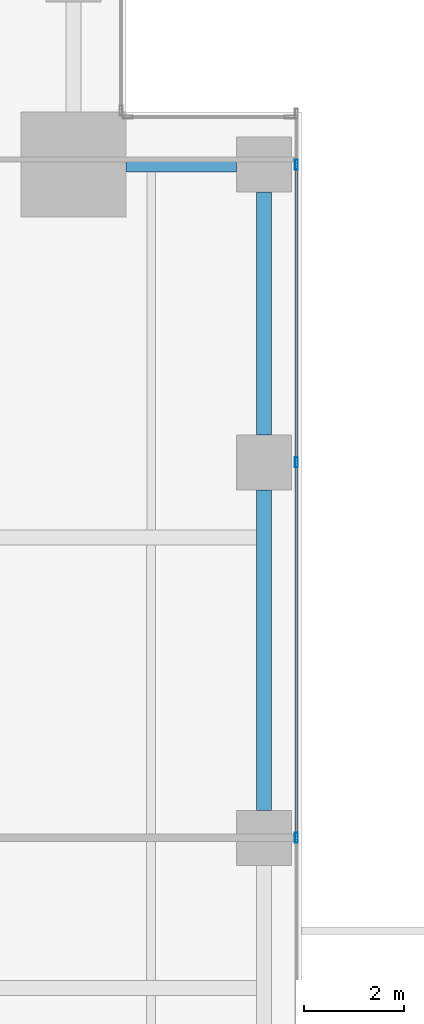
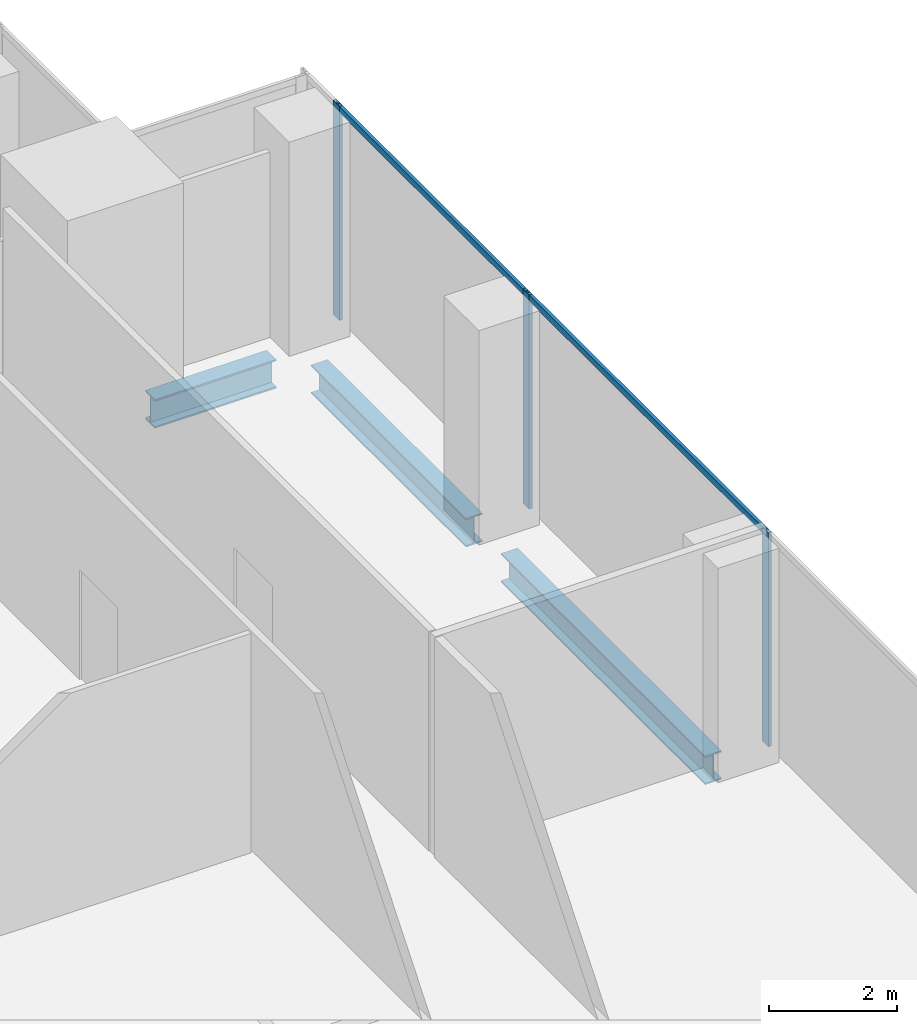
# One storey, part 19 of 34: 5 members, 3 beams, 1 element without a shape of its own.
"""IFC4 building model written with IfcOpenShell, lengths in metres."""

import ifcopenshell
import ifcopenshell.guid

model = None  # the IFC model being written
_history = None  # IfcOwnerHistory: only IFC2X3 demands one
_inside = {}  # id of a spatial element -> (the spatial element, [elements in it])
_under = {}  # id of a project, library or spatial element -> (it, [spatial elements below it])
_declared = {}  # id of a project -> (the project, [libraries it declares])
_typed = {}  # id of a type object -> (the type object, [elements of that type])
_made_of = {}  # id of a material, layer set ... -> (it, [elements and type objects made of it])


def new_model(schema):
    """Start an empty IFC model of exactly this schema.

    Asked for "IFC4X3", IfcOpenShell would pick the latest addendum, in which some entities
    have other attributes; the version numbers below select the first issue.
    IFC2X3 requires an IfcOwnerHistory on every rooted entity: one is made here for all.
    """
    global model, _history
    if schema == "IFC4X3":
        model = ifcopenshell.file(schema_version=(4, 3, 0, 0))
    else:
        model = ifcopenshell.file(schema=schema)
    _inside.clear()
    _under.clear()
    _declared.clear()
    _typed.clear()
    _made_of.clear()
    _history = None
    if model.schema == "IFC2X3":
        org = make("IfcOrganization", Name="unknown")
        user = make(
            "IfcPersonAndOrganization",
            ThePerson=make("IfcPerson", FamilyName="unknown"),
            TheOrganization=org,
        )
        app = make(
            "IfcApplication",
            ApplicationDeveloper=org,
            Version="unknown",
            ApplicationFullName="unknown",
            ApplicationIdentifier="unknown",
        )
        _history = make(
            "IfcOwnerHistory",
            OwningUser=user,
            OwningApplication=app,
            ChangeAction="ADDED",
            CreationDate=0,
        )
    return model


def make(cls, **values):
    """One entity of the class cls with the attributes given. An attribute that is None is left unset."""
    return model.create_entity(
        cls, **{name: value for name, value in values.items() if value is not None}
    )


def rooted(cls, **values):
    """An entity with a GlobalId (a new one), such as an element, a storey or a relation."""
    return make(cls, GlobalId=ifcopenshell.guid.new(), OwnerHistory=_history, **values)


def si_unit(unit_type, name, prefix=None):
    """IfcSIUnit, for example si_unit("LENGTHUNIT", "METRE", prefix="MILLI")."""
    return make("IfcSIUnit", UnitType=unit_type, Prefix=prefix, Name=name)


def assignment(units):
    """IfcUnitAssignment: the units of a project."""
    return None if units is None else make("IfcUnitAssignment", Units=units)


def point(xyz):
    """IfcCartesianPoint."""
    return None if xyz is None else make("IfcCartesianPoint", Coordinates=xyz)


def direction(xyz):
    """IfcDirection."""
    return None if xyz is None else make("IfcDirection", DirectionRatios=xyz)


def frame(location, z_axis=None, x_axis=None):
    """IfcAxis2Placement3D, a coordinate frame: its origin and axes. An axis left out is left unset."""
    return make(
        "IfcAxis2Placement3D",
        Location=point(location),
        Axis=direction(z_axis),
        RefDirection=direction(x_axis),
    )


def frame_2d(location, x_axis=None):
    """IfcAxis2Placement2D, a coordinate frame in the plane: its origin and x axis."""
    return make(
        "IfcAxis2Placement2D", Location=point(location), RefDirection=direction(x_axis)
    )


def origin():
    """The frame at (0, 0, 0) with its axes left unset."""
    return frame((0.0, 0.0, 0.0))


def origin_2d():
    """The frame at (0, 0) in the plane with its x axis left unset."""
    return frame_2d((0.0, 0.0))


def place(relative_to, where):
    """IfcLocalPlacement: puts the frame where relative to a parent placement (None: the world)."""
    return make(
        "IfcLocalPlacement", PlacementRelTo=relative_to, RelativePlacement=where
    )


def context(
    kind, dimensions, precision=None, world=None, true_north=None, identifier=None
):
    """IfcGeometricRepresentationContext, for example the 3D "Model" context."""
    return make(
        "IfcGeometricRepresentationContext",
        ContextIdentifier=identifier,
        ContextType=kind,
        CoordinateSpaceDimension=dimensions,
        Precision=precision,
        WorldCoordinateSystem=world,
        TrueNorth=true_north,
    )


def subcontext(parent, identifier, kind, view, scale=None):
    """IfcGeometricRepresentationSubContext, for example "Body" below "Model"."""
    return make(
        "IfcGeometricRepresentationSubContext",
        ContextIdentifier=identifier,
        ContextType=kind,
        ParentContext=parent,
        TargetScale=scale,
        TargetView=view,
    )


def project(units=None, contexts=None):
    """IfcProject with its units and contexts."""
    return rooted(
        "IfcProject",
        Name="project",
        RepresentationContexts=contexts,
        UnitsInContext=assignment(units),
    )


def spatial(cls, under=None, at=None, **own):
    """A site, building, storey or space (cls), placed at a placement, below another one or the project."""
    s = rooted(cls, ObjectPlacement=at, **own)
    if under is not None:
        _under.setdefault(under.id(), (under, []))[1].append(s)
    return s


def profile(cls, at=None, kind="AREA", **sizes):
    """A parametric profile (cls). Its sizes go by their IFC names, for example OverallWidth=200.0."""
    return make(cls, ProfileType=kind, Position=at, **sizes)


def hollow_rectangle(**sizes):
    """IfcRectangleHollowProfileDef."""
    return profile("IfcRectangleHollowProfileDef", **sizes)


def i_section(**sizes):
    """IfcIShapeProfileDef."""
    return profile("IfcIShapeProfileDef", **sizes)


def extrude(swept, where, along, depth):
    """IfcExtrudedAreaSolid: the profile swept, set in the frame where, extruded along a direction by depth."""
    return make(
        "IfcExtrudedAreaSolid",
        SweptArea=swept,
        Position=where,
        ExtrudedDirection=direction(along),
        Depth=depth,
    )


def shape(context_of_items, identifier, shape_type, items):
    """IfcShapeRepresentation: the items that make up one representation, for example the "Body"."""
    return make(
        "IfcShapeRepresentation",
        ContextOfItems=context_of_items,
        RepresentationIdentifier=identifier,
        RepresentationType=shape_type,
        Items=items,
    )


def source(mapping_origin, context_of_items, identifier, shape_type, items):
    """IfcRepresentationMap: a shape defined once, which mapped items show again and again."""
    return make(
        "IfcRepresentationMap",
        MappingOrigin=mapping_origin,
        MappedRepresentation=shape(context_of_items, identifier, shape_type, items),
    )


def transform(
    local_origin,
    x_axis=None,
    y_axis=None,
    z_axis=None,
    scale=None,
    scale2=None,
    scale3=None,
    uniform=True,
):
    """IfcCartesianTransformationOperator3D, or its non-uniform kind. x_axis, y_axis, z_axis: its Axis1, 2, 3."""
    if uniform:
        return make(
            "IfcCartesianTransformationOperator3D",
            Axis1=direction(x_axis),
            Axis2=direction(y_axis),
            LocalOrigin=point(local_origin),
            Scale=scale,
            Axis3=direction(z_axis),
        )
    return make(
        "IfcCartesianTransformationOperator3DnonUniform",
        Axis1=direction(x_axis),
        Axis2=direction(y_axis),
        LocalOrigin=point(local_origin),
        Scale=scale,
        Axis3=direction(z_axis),
        Scale2=scale2,
        Scale3=scale3,
    )


def mapped(mapping_source, mapping_target):
    """IfcMappedItem: shows the shape of a source again, moved by a transform."""
    return make(
        "IfcMappedItem", MappingSource=mapping_source, MappingTarget=mapping_target
    )


def material(Name=None, Category=None):
    """IfcMaterial."""
    return make("IfcMaterial", Name=Name, Category=Category)


def material_profile(
    of_material, cross_section, Name=None, Category=None, Priority=None
):
    """IfcMaterialProfile: a cross section and its material."""
    return make(
        "IfcMaterialProfile",
        Name=Name,
        Material=of_material,
        Profile=cross_section,
        Priority=Priority,
        Category=Category,
    )


def profile_set(profiles, Name=None, composite=None):
    """IfcMaterialProfileSet."""
    return make(
        "IfcMaterialProfileSet",
        Name=Name,
        MaterialProfiles=profiles,
        CompositeProfile=composite,
    )


def made_of(thing, what):
    """Note that an element or type object is made of a material, layer set ...; save() writes the relation."""
    if what is not None:
        _made_of.setdefault(what.id(), (what, []))[1].append(thing)
    return thing


def type_object(cls, material=None, **own):
    """A type object (cls), such as IfcWallType, which elements share."""
    return made_of(rooted(cls, **own), material)


def element(
    cls,
    number,
    at=None,
    inside=None,
    cuts=None,
    type_object=None,
    material=None,
    context=None,
    identifier="Body",
    shape_type=None,
    held_by="IfcProductDefinitionShape",
    body=None,
    shapes=None,
    **own,
):
    """One element of the class cls, such as IfcWall. Its Tag is "e" and its number.

    at: its placement. inside: the storey or other place that contains it. cuts: it is an
    opening in that element (IfcRelVoidsElement). A single representation is given by context,
    identifier, shape_type and body (its items); several are given by shapes. held_by: the class
    of the entity that holds the representations. save() writes the other relations.
    """
    e = rooted(cls, Tag="e%d" % number, ObjectPlacement=at, **own)
    if body is not None:
        shapes = [shape(context, identifier, shape_type, body)]
    if shapes is not None:
        e.Representation = make(held_by, Representations=shapes)
    if inside is not None:
        _inside.setdefault(inside.id(), (inside, []))[1].append(e)
    if cuts is not None:
        rooted(
            "IfcRelVoidsElement", RelatingBuildingElement=cuts, RelatedOpeningElement=e
        )
    if type_object is not None:
        _typed.setdefault(type_object.id(), (type_object, []))[1].append(e)
    return made_of(e, material)


def aggregate(whole, parts):
    """IfcRelAggregates: a whole, such as a stair, and the parts it consists of."""
    return rooted("IfcRelAggregates", RelatingObject=whole, RelatedObjects=parts)


def save(model, path):
    """Write the relations noted so far, then the file.

    IfcRelAggregates (storeys below a building ...), IfcRelContainedInSpatialStructure (elements
    in a storey), IfcRelDefinesByType, IfcRelAssociatesMaterial and IfcRelDeclares: one each for
    every whole, place, type object, material and project.
    """
    for whole, parts in _under.values():
        aggregate(whole, parts)
    for where, things in _inside.values():
        rooted(
            "IfcRelContainedInSpatialStructure",
            RelatedElements=things,
            RelatingStructure=where,
        )
    for kind, things in _typed.values():
        rooted("IfcRelDefinesByType", RelatedObjects=things, RelatingType=kind)
    for what, things in _made_of.values():
        rooted("IfcRelAssociatesMaterial", RelatedObjects=things, RelatingMaterial=what)
    for by, libraries in _declared.values():
        rooted("IfcRelDeclares", RelatingContext=by, RelatedDefinitions=libraries)
    model.write(path)


model = new_model("IFC4")

# Units and contexts
model_context = context("Model", 3, precision=1e-05, world=origin(), true_north=direction((0.0, 1.0)))
body_context = subcontext(model_context, "Body", "Model", "MODEL_VIEW")
ifc_project = project(units=[si_unit("LENGTHUNIT", "METRE"), si_unit("AREAUNIT", "SQUARE_METRE"), si_unit("VOLUMEUNIT", "CUBIC_METRE"), si_unit("PLANEANGLEUNIT", "RADIAN"), si_unit("MASSUNIT", "GRAM", prefix="KILO")], contexts=[model_context])

# Site, building, storey
site_placement = place(None, origin())
site = spatial("IfcSite", under=ifc_project, at=site_placement, CompositionType="ELEMENT")
building_placement = place(site_placement, origin())
building = spatial("IfcBuilding", under=site, at=building_placement, Name="Khomas Fold Tower", CompositionType="ELEMENT")
storey_placement = place(building_placement, frame((0.0, 0.0, 145.5)))
storey = spatial("IfcBuildingStorey", under=building, at=storey_placement, Name="L31", CompositionType="ELEMENT", Elevation=145.5)

# Beams
ifc_material_1 = material(Name="Steel S355", Category="steel")
ifc_material_profile_1 = material_profile(ifc_material_1, i_section(OverallWidth=0.300048828125, OverallDepth=0.550048828125, WebThickness=0.014892578125, FlangeThickness=0.029052734375, at=origin_2d()), Name="HE 550 B")
ifc_profile_set_1 = profile_set([ifc_material_profile_1], Name="Steel S355")
beam_type = type_object("IfcBeamType", Name="HE 550 B spandrel SB2", PredefinedType="SPANDREL", material=ifc_profile_set_1)
shared_shape_1 = source(origin(), body_context, "Body", "SweptSolid", [
    extrude(i_section(OverallWidth=0.300048828125, OverallDepth=0.550048828125, WebThickness=0.014892578125, FlangeThickness=0.029052734375, at=origin_2d()), origin(), (0.0, 0.0, 1.0), 4.849853515625),
])
beam_1_placement = place(storey_placement, frame((51.75, 42.550048828125, -0.574951171875), z_axis=(0.0, 1.0, 0.0), x_axis=(-1.0, 0.0, 0.0)))
element("IfcBeam", 1, at=beam_1_placement, inside=storey, type_object=beam_type, Name="SB2", PredefinedType="SPANDREL", context=body_context, shape_type="MappedRepresentation", body=[
    mapped(shared_shape_1, transform((0.0, 0.0, 0.0))),
])
shared_shape_2 = source(origin(), body_context, "Body", "SweptSolid", [
    extrude(i_section(OverallWidth=0.300048828125, OverallDepth=0.550048828125, WebThickness=0.014892578125, FlangeThickness=0.029052734375, at=origin_2d()), origin(), (0.0, 0.0, 1.0), 6.39990234375),
])
beam_2_placement = place(storey_placement, frame((51.75, 35.050048828125, -0.574951171875), z_axis=(0.0, 1.0, 0.0), x_axis=(-1.0, 0.0, 0.0)))
element("IfcBeam", 2, at=beam_2_placement, inside=storey, type_object=beam_type, Name="SB2", PredefinedType="SPANDREL", context=body_context, shape_type="MappedRepresentation", body=[
    mapped(shared_shape_2, transform((0.0, 0.0, 0.0))),
])
shared_shape_3 = source(origin(), body_context, "Body", "SweptSolid", [
    extrude(i_section(OverallWidth=0.300048828125, OverallDepth=0.550048828125, WebThickness=0.014892578125, FlangeThickness=0.029052734375, at=origin_2d()), origin(), (0.0, 0.0, 1.0), 2.199951171875),
])
beam_3_placement = place(storey_placement, frame((49.0, 47.949951171875, -0.574951171875), z_axis=(1.0, 0.0, 0.0), x_axis=(0.0, 1.0, 0.0)))
element("IfcBeam", 3, at=beam_3_placement, inside=storey, type_object=beam_type, Name="SB2", PredefinedType="SPANDREL", context=body_context, shape_type="MappedRepresentation", body=[
    mapped(shared_shape_3, transform((0.0, 0.0, 0.0))),
])

# Curtain wall, members
ifc_material_2 = material(Name="Aluminium framed double glazing", Category="aluminium")
curtain_wall_type = type_object("IfcCurtainWallType", Name="SK-Unitised clear-glass wall, growing floors CW1", PredefinedType="NOTDEFINED", material=ifc_material_2)
curtain_wall_placement = place(storey_placement, origin())
curtain_wall = element("IfcCurtainWall", 4, at=curtain_wall_placement, inside=storey, type_object=curtain_wall_type, Name="CW1 run L31 03-1", PredefinedType="NOTDEFINED")
ifc_material_3 = material(Name="Aluminium", Category="aluminium")
ifc_material_profile_2 = material_profile(ifc_material_3, hollow_rectangle(XDim=0.06005859375, YDim=0.1201171875, WallThickness=0.00390625, at=origin_2d()), Name="SK-Unitised clear-glass wall, growing floors transom CW1-T")
ifc_profile_set_2 = profile_set([ifc_material_profile_2], Name="Aluminium")
member_type_1 = type_object("IfcMemberType", Name="SK-Unitised clear-glass wall, growing floors transom CW1-T", PredefinedType="USERDEFINED", material=ifc_profile_set_2)
shared_shape_4 = source(origin(), body_context, "Body", "SweptSolid", [
    extrude(hollow_rectangle(XDim=0.06005859375, YDim=0.1201171875, WallThickness=0.00390625, at=origin_2d()), origin(), (0.0, 0.0, 1.0), 7.43994140625),
])
member_1_placement = place(storey_placement, frame((52.39990234375, 34.530029296875, 4.0400390625), z_axis=(0.0, 1.0, 0.0), x_axis=(-1.0, 0.0, 0.0)))
member_1 = element("IfcMember", 5, at=member_1_placement, type_object=member_type_1, Name="CW1 transom 3", ObjectType="TRANSOM", PredefinedType="USERDEFINED", context=body_context, shape_type="MappedRepresentation", body=[
    mapped(shared_shape_4, transform((0.0, 0.0, 0.0))),
])
ifc_material_4 = material(Name="Aluminium", Category="aluminium")
ifc_material_profile_3 = material_profile(ifc_material_4, hollow_rectangle(XDim=0.06005859375, YDim=0.199951171875, WallThickness=0.00390625, at=origin_2d()), Name="SK-Unitised clear-glass wall, growing floors mullion CW1-M")
ifc_profile_set_3 = profile_set([ifc_material_profile_3], Name="Aluminium")
member_type_2 = type_object("IfcMemberType", Name="SK-Unitised clear-glass wall, growing floors mullion CW1-M", PredefinedType="MULLION", material=ifc_profile_set_3)
shared_shape_5 = source(origin(), body_context, "Body", "SweptSolid", [
    extrude(hollow_rectangle(XDim=0.06005859375, YDim=0.199951171875, WallThickness=0.00390625, at=origin_2d()), origin(), (0.0, 0.0, 1.0), 4.10009765625),
])
member_2_placement = place(storey_placement, frame((52.39990234375, 34.5, 0.0), z_axis=(0.0, 0.0, 1.0), x_axis=(-1.0, 0.0, 0.0)))
member_2 = element("IfcMember", 6, at=member_2_placement, type_object=member_type_2, Name="CW1 mullion 3", PredefinedType="MULLION", context=body_context, shape_type="MappedRepresentation", body=[
    mapped(shared_shape_5, transform((0.0, 0.0, 0.0))),
])
member_3_placement = place(storey_placement, frame((52.39990234375, 42.0, 0.0), z_axis=(0.0, 0.0, 1.0), x_axis=(-1.0, 0.0, 0.0)))
member_3 = element("IfcMember", 7, at=member_3_placement, type_object=member_type_2, Name="CW1 mullion 4", PredefinedType="MULLION", context=body_context, shape_type="MappedRepresentation", body=[
    mapped(shared_shape_5, transform((0.0, 0.0, 0.0))),
])
member_4_placement = place(storey_placement, frame((52.39990234375, 47.949951171875, 0.0), z_axis=(0.0, 0.0, 1.0), x_axis=(-1.0, 0.0, 0.0)))
member_4 = element("IfcMember", 8, at=member_4_placement, type_object=member_type_2, Name="CW1 mullion 5", PredefinedType="MULLION", context=body_context, shape_type="MappedRepresentation", body=[
    mapped(shared_shape_5, transform((0.0, 0.0, 0.0))),
])
shared_shape_6 = source(origin(), body_context, "Body", "SweptSolid", [
    extrude(hollow_rectangle(XDim=0.06005859375, YDim=0.1201171875, WallThickness=0.00390625, at=origin_2d()), origin(), (0.0, 0.0, 1.0), 5.889892578125),
])
member_5_placement = place(storey_placement, frame((52.39990234375, 42.030029296875, 4.0400390625), z_axis=(0.0, 1.0, 0.0), x_axis=(-1.0, 0.0, 0.0)))
member_5 = element("IfcMember", 9, at=member_5_placement, type_object=member_type_1, Name="CW1 transom 4", ObjectType="TRANSOM", PredefinedType="USERDEFINED", context=body_context, shape_type="MappedRepresentation", body=[
    mapped(shared_shape_6, transform((0.0, 0.0, 0.0))),
])
aggregate(curtain_wall, [member_2, member_3, member_4, member_1, member_5])

save(model, "model.ifc")
